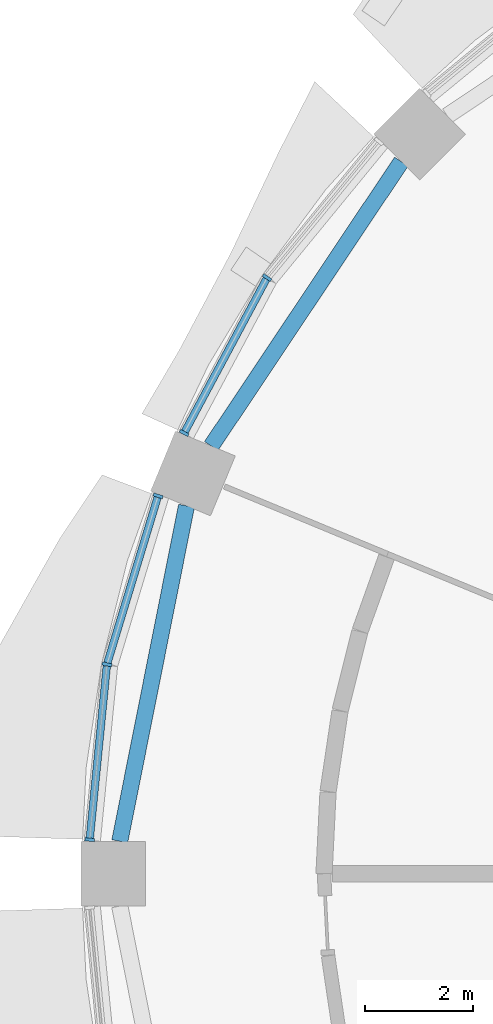
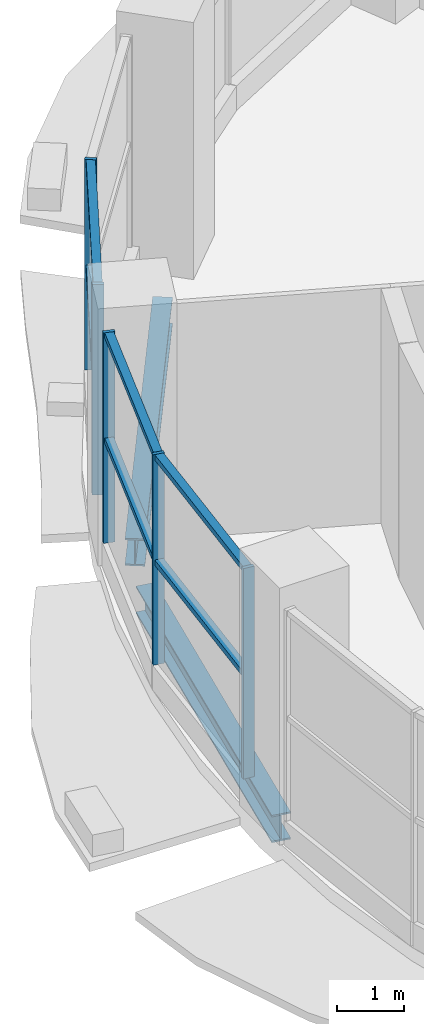
# One storey, part 3 of 14: 11 members, 2 beams, 2 elements without a shape of their own.
"""IFC4 building model written with IfcOpenShell, lengths in metres."""

from ifc_helpers import new_model, si_unit, direction, frame, origin, origin_2d, place, context, subcontext, project, spatial, rectangle, i_section, extrude, material, material_profile, profile_set, type_object, element, aggregate, save


model = new_model("IFC4")

# Units and contexts
model_context = context("Model", 3, precision=1e-05, world=origin(), true_north=direction((0.0, 1.0)))
body_context = subcontext(model_context, "Body", "Model", "MODEL_VIEW")
ifc_project = project(units=[si_unit("LENGTHUNIT", "METRE"), si_unit("AREAUNIT", "SQUARE_METRE"), si_unit("VOLUMEUNIT", "CUBIC_METRE"), si_unit("PLANEANGLEUNIT", "RADIAN"), si_unit("MASSUNIT", "GRAM", prefix="KILO")], contexts=[model_context])

# Site, building, storey
site_placement = place(None, origin())
site = spatial("IfcSite", under=ifc_project, at=site_placement, CompositionType="ELEMENT")
building_placement = place(site_placement, origin())
building = spatial("IfcBuilding", under=site, at=building_placement, Name="Polderwave Tower", CompositionType="ELEMENT")
storey_placement = place(building_placement, frame((0.0, 0.0, 5.199951171875)))
storey = spatial("IfcBuildingStorey", under=building, at=storey_placement, Name="L01", CompositionType="ELEMENT", Elevation=5.199951171875)

# Beams
ifc_material_1 = material(Name="Steel S355", Category="steel")
ifc_material_profile_1 = material_profile(ifc_material_1, i_section(OverallWidth=0.300048828125, OverallDepth=0.5, WebThickness=0.014404296875, FlangeThickness=0.028076171875, at=origin_2d()), Name="HE 500 B")
ifc_profile_set_1 = profile_set([ifc_material_profile_1], Name="Steel S355")
beam_type = type_object("IfcBeamType", Name="RING BEAM HE 500 B", PredefinedType="BEAM", material=ifc_profile_set_1)
for number, where, z_axis, x_axis, name in (
    (1, (-14.029541015625, 13.180908203125, -0.64990234375), (-0.55556321377, -0.831474302372, 0.0), (0.831474302372, -0.55556321377, 0.0), "ST-RB-L01-06"),
    (2, (-18.005615234375, 6.808837890625, -0.64990234375), (-0.195107371928, -0.980781888811, 0.0), (0.980781888811, -0.195107371928, 0.0), "ST-RB-L01-07"),
):
    element("IfcBeam", number, at=place(storey_placement, frame(where, z_axis=z_axis, x_axis=x_axis)), inside=storey, type_object=beam_type, Name=name, PredefinedType="BEAM", context=body_context, shape_type="SweptSolid", body=[
        extrude(i_section(OverallWidth=0.300048828125, OverallDepth=0.5, WebThickness=0.014404296875, FlangeThickness=0.028076171875, at=origin_2d()), origin(), (0.0, 0.0, 1.0), 6.330322265625),
    ])

# Curtain wall, members
ifc_material_2 = material(Name="Aluminium 6063-T6 and glass", Category="aluminium")
curtain_wall_type = type_object("IfcCurtainWallType", Name="Shopfront glazing wall", PredefinedType="NOTDEFINED", material=ifc_material_2)
curtain_wall_1_placement = place(storey_placement, origin())
curtain_wall_1 = element("IfcCurtainWall", 3, at=curtain_wall_1_placement, inside=storey, type_object=curtain_wall_type, Name="CW1 L01 06", PredefinedType="NOTDEFINED")
ifc_material_3 = material(Name="Aluminium 6063-T6", Category="aluminium")
ifc_material_profile_2 = material_profile(ifc_material_3, rectangle(XDim=0.179931640625, YDim=0.06005859375, at=origin_2d()), Name="AL 60x180")
ifc_profile_set_2 = profile_set([ifc_material_profile_2], Name="Aluminium 6063-T6")
member_type_1 = type_object("IfcMemberType", Name="Shopfront glazing mullion 60x180", PredefinedType="MULLION", material=ifc_profile_set_2)
member_1_placement = place(storey_placement, frame((-16.512939453125, 11.033935546875, 0.449951171875), z_axis=(0.0, 0.0, 1.0), x_axis=(0.831480278332, -0.555554269847, 0.0)))
member_1 = element("IfcMember", 4, at=member_1_placement, type_object=member_type_1, Name="CW1 mullion 2", PredefinedType="MULLION", context=body_context, shape_type="SweptSolid", body=[
    extrude(rectangle(XDim=0.179931640625, YDim=0.06005859375, at=origin_2d()), origin(), (0.0, 0.0, 1.0), 3.85009765625),
])
member_2_placement = place(storey_placement, frame((-18.0498046875, 8.158447265625, 0.449951171875), z_axis=(0.0, 0.0, 1.0), x_axis=(0.881940186716, -0.471361333858, 0.0)))
member_2 = element("IfcMember", 5, at=member_2_placement, type_object=member_type_1, Name="CW1 mullion 3", PredefinedType="MULLION", context=body_context, shape_type="SweptSolid", body=[
    extrude(rectangle(XDim=0.179931640625, YDim=0.06005859375, at=origin_2d()), origin(), (0.0, 0.0, 1.0), 3.85009765625),
])

curtain_wall_2_placement = place(storey_placement, origin())
curtain_wall_2 = element("IfcCurtainWall", 6, at=curtain_wall_2_placement, inside=storey, type_object=curtain_wall_type, Name="CW1 L01 07", PredefinedType="NOTDEFINED")
member_3_placement = place(storey_placement, frame((-18.53173828125, 6.994384765625, 0.449951171875), z_axis=(0.0, 0.0, 1.0), x_axis=(0.956960599094, -0.290217869509, 0.0)))
member_3 = element("IfcMember", 7, at=member_3_placement, type_object=member_type_1, Name="CW1 mullion 1", PredefinedType="MULLION", context=body_context, shape_type="SweptSolid", body=[
    extrude(rectangle(XDim=0.179931640625, YDim=0.06005859375, at=origin_2d()), origin(), (0.0, 0.0, 1.0), 3.85009765625),
])
member_4_placement = place(storey_placement, frame((-19.47802734375, 3.8740234375, 0.449951171875), z_axis=(0.0, 0.0, 1.0), x_axis=(0.980776085899, -0.195136540217, 0.0)))
member_4 = element("IfcMember", 8, at=member_4_placement, type_object=member_type_1, Name="CW1 mullion 2", PredefinedType="MULLION", context=body_context, shape_type="SweptSolid", body=[
    extrude(rectangle(XDim=0.179931640625, YDim=0.06005859375, at=origin_2d()), origin(), (0.0, 0.0, 1.0), 3.85009765625),
])
member_5_placement = place(storey_placement, frame((-19.798095703125, 0.6298828125, 0.449951171875), z_axis=(0.0, 0.0, 1.0), x_axis=(0.99516880385, -0.098178673064, 0.0)))
member_5 = element("IfcMember", 9, at=member_5_placement, type_object=member_type_1, Name="CW1 mullion 3", PredefinedType="MULLION", context=body_context, shape_type="SweptSolid", body=[
    extrude(rectangle(XDim=0.179931640625, YDim=0.06005859375, at=origin_2d()), origin(), (0.0, 0.0, 1.0), 3.85009765625),
])

# Member
ifc_material_profile_3 = material_profile(ifc_material_3, rectangle(XDim=0.139892578125, YDim=0.10009765625, at=origin_2d()), Name="AL 100x140")
ifc_profile_set_3 = profile_set([ifc_material_profile_3], Name="Aluminium 6063-T6")
member_type_2 = type_object("IfcMemberType", Name="Shopfront glazing transom 100x140", PredefinedType="USERDEFINED", material=ifc_profile_set_3)
member_6_placement = place(storey_placement, frame((-16.527099609375, 11.007568359375, 2.324951171875), z_axis=(-0.471336352659, -0.8819535377, 0.0), x_axis=(0.8819535377, -0.471336352659, 0.0)))
member_6 = element("IfcMember", 10, at=member_6_placement, type_object=member_type_2, Name="CW1 transom 3", ObjectType="TRANSOM", PredefinedType="USERDEFINED", context=body_context, shape_type="SweptSolid", body=[
    extrude(rectangle(XDim=0.139892578125, YDim=0.10009765625, at=origin_2d()), origin(), (0.0, 0.0, 1.0), 3.20068359375),
])

member_7_placement = place(storey_placement, frame((-16.527099609375, 11.007568359375, 4.25), z_axis=(-0.471336352659, -0.8819535377, 0.0), x_axis=(0.8819535377, -0.471336352659, 0.0)))
member_7 = element("IfcMember", 11, at=member_7_placement, type_object=member_type_2, Name="CW1 transom 4", ObjectType="TRANSOM", PredefinedType="USERDEFINED", context=body_context, shape_type="SweptSolid", body=[
    extrude(rectangle(XDim=0.139892578125, YDim=0.10009765625, at=origin_2d()), origin(), (0.0, 0.0, 1.0), 3.20068359375),
])

aggregate(curtain_wall_1, [member_1, member_2, member_6, member_7])

member_8_placement = place(storey_placement, frame((-18.540283203125, 6.965576171875, 2.324951171875), z_axis=(-0.290229671629, -0.95695701978, 0.0), x_axis=(0.95695701978, -0.290229671629, 0.0)))
member_8 = element("IfcMember", 12, at=member_8_placement, type_object=member_type_2, Name="CW1 transom 1", ObjectType="TRANSOM", PredefinedType="USERDEFINED", context=body_context, shape_type="SweptSolid", body=[
    extrude(rectangle(XDim=0.139892578125, YDim=0.10009765625, at=origin_2d()), origin(), (0.0, 0.0, 1.0), 3.20068359375),
])

member_9_placement = place(storey_placement, frame((-18.540283203125, 6.965576171875, 4.25), z_axis=(-0.290229671629, -0.95695701978, 0.0), x_axis=(0.95695701978, -0.290229671629, 0.0)))
member_9 = element("IfcMember", 13, at=member_9_placement, type_object=member_type_2, Name="CW1 transom 2", ObjectType="TRANSOM", PredefinedType="USERDEFINED", context=body_context, shape_type="SweptSolid", body=[
    extrude(rectangle(XDim=0.139892578125, YDim=0.10009765625, at=origin_2d()), origin(), (0.0, 0.0, 1.0), 3.20068359375),
])

member_10_placement = place(storey_placement, frame((-19.48095703125, 3.843994140625, 2.324951171875), z_axis=(-0.098196730628, -0.99516702221, 0.0), x_axis=(0.99516702221, -0.098196730628, 0.0)))
member_10 = element("IfcMember", 14, at=member_10_placement, type_object=member_type_2, Name="CW1 transom 3", ObjectType="TRANSOM", PredefinedType="USERDEFINED", context=body_context, shape_type="SweptSolid", body=[
    extrude(rectangle(XDim=0.139892578125, YDim=0.10009765625, at=origin_2d()), origin(), (0.0, 0.0, 1.0), 3.19970703125),
])

member_11_placement = place(storey_placement, frame((-19.48095703125, 3.843994140625, 4.25), z_axis=(-0.098196730628, -0.99516702221, 0.0), x_axis=(0.99516702221, -0.098196730628, 0.0)))
member_11 = element("IfcMember", 15, at=member_11_placement, type_object=member_type_2, Name="CW1 transom 4", ObjectType="TRANSOM", PredefinedType="USERDEFINED", context=body_context, shape_type="SweptSolid", body=[
    extrude(rectangle(XDim=0.139892578125, YDim=0.10009765625, at=origin_2d()), origin(), (0.0, 0.0, 1.0), 3.19970703125),
])

aggregate(curtain_wall_2, [member_3, member_4, member_5, member_8, member_9, member_10, member_11])

save(model, "model.ifc")
